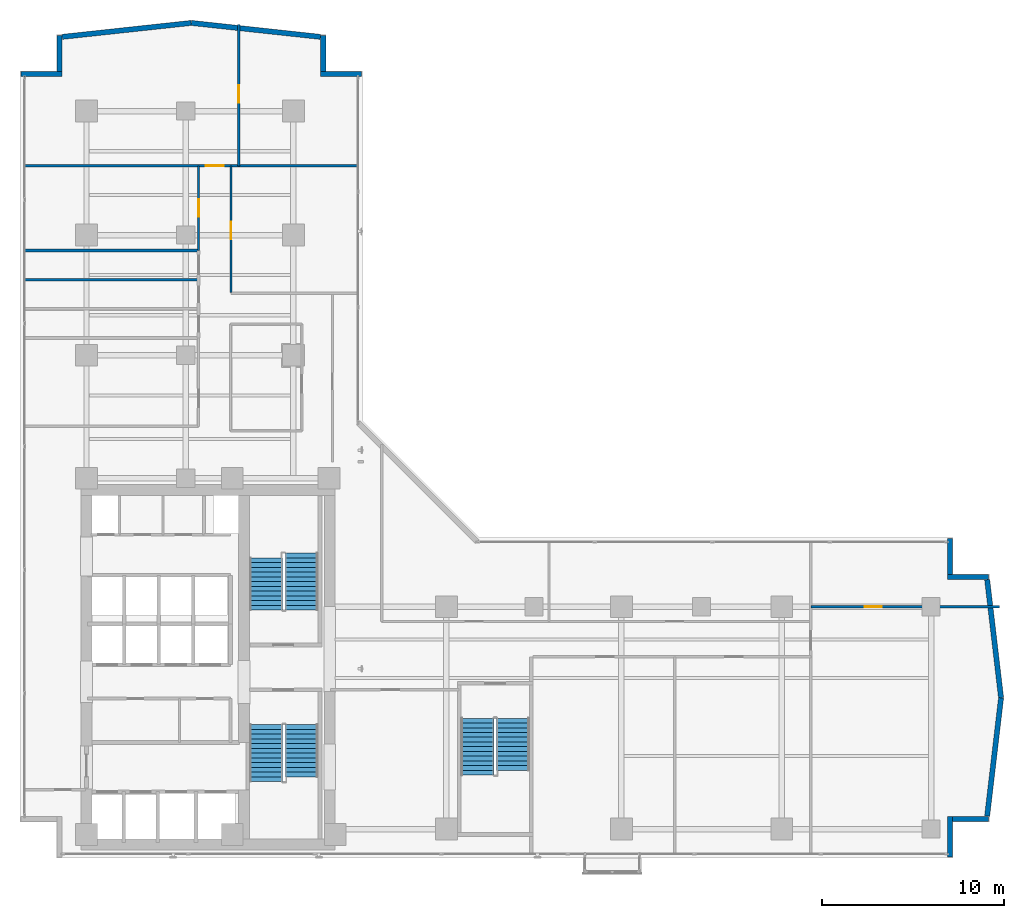
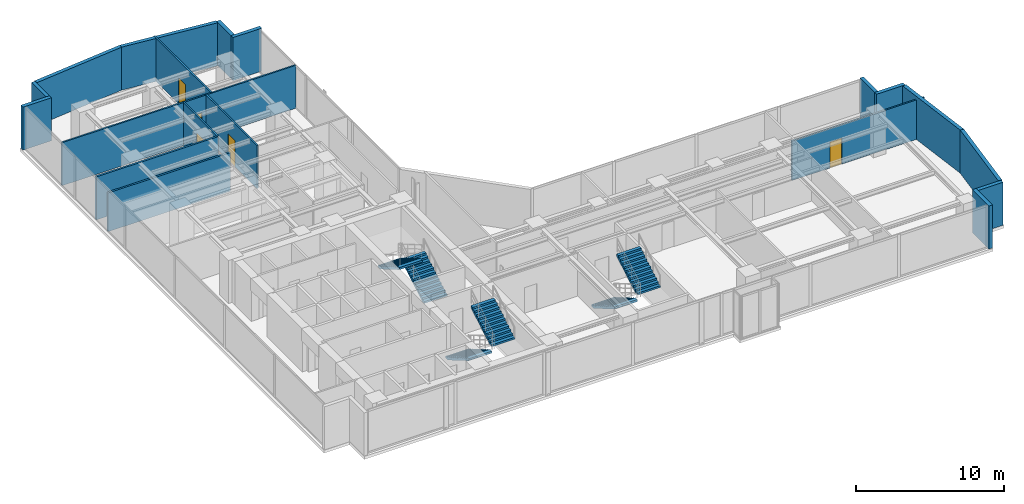
# One storey, part 22 of 27: 19 walls, 6 stair flights, 5 doors, 5 openings, 3 elements without a shape of their own.
"""IFC4 building model written with IfcOpenShell, lengths in metres."""

from ifc_helpers import new_model, si_unit, direction, frame, frame_2d, origin, place, context, subcontext, project, spatial, polyline, rectangle, outline, extrude, material, layer, layer_set, type_object, element, fill, aggregate, save


model = new_model("IFC4")

# Units and contexts
model_context = context("Model", 3, precision=1e-05, world=origin(), true_north=direction((0.0, 1.0)))
body_context = subcontext(model_context, "Body", "Model", "MODEL_VIEW")
ifc_project = project(units=[si_unit("LENGTHUNIT", "METRE"), si_unit("AREAUNIT", "SQUARE_METRE"), si_unit("VOLUMEUNIT", "CUBIC_METRE"), si_unit("PLANEANGLEUNIT", "RADIAN"), si_unit("MASSUNIT", "GRAM", prefix="KILO")], contexts=[model_context])

# Site, building, storey
site_placement = place(None, origin())
site = spatial("IfcSite", under=ifc_project, at=site_placement, CompositionType="ELEMENT")
building_placement = place(site_placement, origin())
building = spatial("IfcBuilding", under=site, at=building_placement, Name="Kolvaren Waterfront Exchange", CompositionType="ELEMENT")
storey_placement = place(building_placement, frame((0.0, 0.0, 191.800048828125)))
storey = spatial("IfcBuildingStorey", under=building, at=storey_placement, Name="L49", CompositionType="ELEMENT", Elevation=191.800048828125)

# Walls
ifc_material_1 = material(Name="Precast concrete C40/50", Category="concrete")
ifc_layer_1 = layer(ifc_material_1, 0.280029296875, Name="Precast concrete C40/50")
ifc_layer_set_1 = layer_set([ifc_layer_1], Name="Precast concrete C40/50")
wall_type_1 = type_object("IfcWallType", Name="ARC-EXT-TERR-280", PredefinedType="SOLIDWALL", material=ifc_layer_set_1)
wall_1_placement = place(storey_placement, frame((54.840087890625, 3.659912109375, 0.0), z_axis=(0.0, 0.0, 1.0), x_axis=(0.0, 1.0, 0.0)))
element("IfcWall", 1, at=wall_1_placement, inside=storey, type_object=wall_type_1, Name="L49 notched corner spandrel pier SE-A", PredefinedType="SOLIDWALL", context=body_context, shape_type="SweptSolid", body=[
    extrude(rectangle(XDim=2.239990234375, YDim=0.280029296875, at=frame_2d((1.1201171875, 0.0))), origin(), (0.0, 0.0, 1.0), 3.56005859375),
])
wall_2_placement = place(storey_placement, frame((54.97998046875, 5.760009765625, 0.0), z_axis=(0.0, 0.0, 1.0), x_axis=(1.0, 0.0, 0.0)))
element("IfcWall", 2, at=wall_2_placement, inside=storey, type_object=wall_type_1, Name="L49 notched corner spandrel pier SE-B", PredefinedType="SOLIDWALL", context=body_context, shape_type="SweptSolid", body=[
    extrude(rectangle(XDim=1.9599609375, YDim=0.280029296875, at=frame_2d((0.97998046875, 0.0))), origin(), (0.0, 0.0, 1.0), 3.56005859375),
])
wall_3_placement = place(storey_placement, frame((54.840087890625, 19.1650390625, 0.0), z_axis=(0.0, 0.0, 1.0), x_axis=(0.0, 1.0, 0.0)))
element("IfcWall", 3, at=wall_3_placement, inside=storey, type_object=wall_type_1, Name="L49 notched corner spandrel pier ENE-A", PredefinedType="SOLIDWALL", context=body_context, shape_type="SweptSolid", body=[
    extrude(rectangle(XDim=1.974853515625, YDim=0.280029296875, at=frame_2d((0.9873046875, 0.0))), origin(), (0.0, 0.0, 1.0), 3.56005859375),
])
for number, where, z_axis, x_axis, name in (
    (4, (54.699951171875, 19.0400390625, 0.0), (0.0, 0.0, 1.0), (1.0, 0.0, 0.0), "L49 notched corner spandrel pier ENE-B"),
    (5, (20.300048828125, 46.639892578125, 0.0), (0.0, 0.0, 1.0), (1.0, 0.0, 0.0), "L49 notched corner spandrel pier NNE-A"),
):
    element("IfcWall", number, at=place(storey_placement, frame(where, z_axis=z_axis, x_axis=x_axis)), inside=storey, type_object=wall_type_1, Name=name, PredefinedType="SOLIDWALL", context=body_context, shape_type="SweptSolid", body=[
        extrude(rectangle(XDim=2.239990234375, YDim=0.280029296875, at=frame_2d((1.1201171875, 0.0))), origin(), (0.0, 0.0, 1.0), 3.56005859375),
    ])
wall_4_placement = place(storey_placement, frame((20.43994140625, 46.780029296875, 0.0), z_axis=(0.0, 0.0, 1.0), x_axis=(0.0, 1.0, 0.0)))
element("IfcWall", 6, at=wall_4_placement, inside=storey, type_object=wall_type_1, Name="L49 notched corner spandrel pier NNE-B", PredefinedType="SOLIDWALL", context=body_context, shape_type="SweptSolid", body=[
    extrude(rectangle(XDim=1.9599609375, YDim=0.280029296875, at=frame_2d((0.97998046875, 0.0))), origin(), (0.0, 0.0, 1.0), 3.56005859375),
])
wall_5_placement = place(storey_placement, frame((3.860107421875, 46.639892578125, 0.0), z_axis=(0.0, 0.0, 1.0), x_axis=(1.0, 0.0, 0.0)))
element("IfcWall", 7, at=wall_5_placement, inside=storey, type_object=wall_type_1, Name="L49 notched corner spandrel pier NW-A", PredefinedType="SOLIDWALL", context=body_context, shape_type="SweptSolid", body=[
    extrude(rectangle(XDim=2.239990234375, YDim=0.280029296875, at=frame_2d((1.1201171875, 0.0))), origin(), (0.0, 0.0, 1.0), 3.56005859375),
])
wall_6_placement = place(storey_placement, frame((5.9599609375, 46.780029296875, 0.0), z_axis=(0.0, 0.0, 1.0), x_axis=(0.0, 1.0, 0.0)))
element("IfcWall", 8, at=wall_6_placement, inside=storey, type_object=wall_type_1, Name="L49 notched corner spandrel pier NW-B", PredefinedType="SOLIDWALL", context=body_context, shape_type="SweptSolid", body=[
    extrude(rectangle(XDim=1.9599609375, YDim=0.280029296875, at=frame_2d((0.97998046875, 0.0))), origin(), (0.0, 0.0, 1.0), 3.56005859375),
])
for number, where, z_axis, x_axis, name in (
    (9, (56.876220703125, 5.91650390625, 0.0), (0.0, 0.0, 1.0), (0.11685426921, 0.993149072278, 0.0), "L49 east prow faceted facade wall 1"),
    (10, (57.638916015625, 12.401123046875, 0.0), (0.0, 0.0, 1.0), (-0.11685426921, 0.993149072278, 0.0), "L49 east prow faceted facade wall 2"),
):
    element("IfcWall", number, at=place(storey_placement, frame(where, z_axis=z_axis, x_axis=x_axis)), inside=storey, type_object=wall_type_1, Name=name, PredefinedType="SOLIDWALL", context=body_context, shape_type="SweptSolid", body=[
        extrude(rectangle(XDim=6.52685546875, YDim=0.280029296875, at=frame_2d((3.263427734375, 0.0))), origin(), (0.0, 0.0, 1.0), 3.56005859375),
    ])
for number, where, z_axis, x_axis, name in (
    (11, (20.284423828125, 48.673095703125, 0.0), (0.0, 0.0, 1.0), (-0.994206651606, 0.107485505548, 0.0), "L49 north prow faceted facade wall 1"),
    (12, (13.197265625, 49.438720703125, 0.0), (0.0, 0.0, 1.0), (-0.994206651606, -0.107485505548, 0.0), "L49 north prow faceted facade wall 2"),
):
    element("IfcWall", number, at=place(storey_placement, frame(where, z_axis=z_axis, x_axis=x_axis)), inside=storey, type_object=wall_type_1, Name=name, PredefinedType="SOLIDWALL", context=body_context, shape_type="SweptSolid", body=[
        extrude(rectangle(XDim=7.123046875, YDim=0.280029296875, at=frame_2d((3.5615234375, 0.0))), origin(), (0.0, 0.0, 1.0), 3.56005859375),
    ])

# Wall, opening, door
ifc_material_2 = material(Name="Acoustic gypsum steel stud", Category="steel")
ifc_layer_2 = layer(ifc_material_2, 0.125, Name="Acoustic gypsum steel stud")
ifc_layer_set_2 = layer_set([ifc_layer_2], Name="Acoustic gypsum steel stud")
wall_type_2 = type_object("IfcWallType", Name="ARC-PART-125", PredefinedType="PARTITIONING", material=ifc_layer_set_2)
wall_7_placement = place(storey_placement, frame((47.199951171875, 17.39990234375, 0.0), z_axis=(0.0, 0.0, 1.0), x_axis=(1.0, 0.0, 0.0)))
wall_7 = element("IfcWall", 13, at=wall_7_placement, inside=storey, type_object=wall_type_2, Name="L49 interior wall PW-L49-ETIP-MID", PredefinedType="PARTITIONING", context=body_context, shape_type="SweptSolid", body=[
    extrude(rectangle(XDim=10.360107421875, YDim=0.125, at=frame_2d((5.18017578125, 0.0))), origin(), (0.0, 0.0, 1.0), 3.260009765625),
])
opening_1_placement = place(wall_7_placement, frame((2.949951171875, 0.0, 0.0)))
opening_1 = element("IfcOpeningElement", 14, at=opening_1_placement, cuts=wall_7, Name="Opening D02", PredefinedType="OPENING", context=body_context, shape_type="SweptSolid", body=[
    extrude(rectangle(XDim=0.949951171875, YDim=2.14990234375, at=frame_2d((0.47509765625, 1.074951171875))), frame((0.0, 0.072509765625, 0.0), z_axis=(0.0, -1.0, 0.0), x_axis=(1.0, 0.0, 0.0)), (0.0, 0.0, 1.0), 0.14501953125),
])
ifc_material_3 = material(Name="Oak veneer acoustic timber", Category="wood")
door_type_1 = type_object("IfcDoorType", Name="ARC-DR-950", OperationType="NOTDEFINED", PredefinedType="DOOR", material=ifc_material_3)
door_1_placement = place(opening_1_placement, origin())
door_1 = element("IfcDoor", 15, at=door_1_placement, inside=storey, type_object=door_type_1, Name="L49 door DR-L49-ETIP2-D (D02)", OperationType="SINGLE_SWING_RIGHT", OverallHeight=2.14990234375, OverallWidth=0.949951171875, PredefinedType="DOOR", context=body_context, shape_type="SweptSolid", body=[
    extrude(rectangle(XDim=0.949951171875, YDim=2.14990234375, at=frame_2d((0.47509765625, 1.074951171875))), frame((0.0, 0.02490234375, 0.0), z_axis=(0.0, -1.0, 0.0), x_axis=(1.0, 0.0, 0.0)), (0.0, 0.0, 1.0), 0.050048828125),
])
fill(opening_1, door_1)

wall_8_placement = place(storey_placement, frame((13.60009765625, 36.949951171875, 0.0), z_axis=(0.0, 0.0, 1.0), x_axis=(0.0, 1.0, 0.0)))
wall_8 = element("IfcWall", 16, at=wall_8_placement, inside=storey, type_object=wall_type_2, Name="L49 interior wall PW-L49-NW-CORR", PredefinedType="PARTITIONING", context=body_context, shape_type="SweptSolid", body=[
    extrude(rectangle(XDim=4.650146484375, YDim=0.125, at=frame_2d((2.3251953125, 0.0))), origin(), (0.0, 0.0, 1.0), 3.56005859375),
])
opening_2_placement = place(wall_8_placement, frame((1.85009765625, 0.0, 0.0)))
opening_2 = element("IfcOpeningElement", 17, at=opening_2_placement, cuts=wall_8, Name="Opening D02", PredefinedType="OPENING", context=body_context, shape_type="SweptSolid", body=[
    extrude(rectangle(XDim=0.949951171875, YDim=2.14990234375, at=frame_2d((0.47509765625, 1.074951171875))), frame((0.0, 0.072509765625, 0.0), z_axis=(0.0, -1.0, 0.0), x_axis=(1.0, 0.0, 0.0)), (0.0, 0.0, 1.0), 0.14501953125),
])
door_2_placement = place(opening_2_placement, origin())
door_2 = element("IfcDoor", 18, at=door_2_placement, inside=storey, type_object=door_type_1, Name="L49 door DR-L49-NW-D-1 (D02)", OperationType="SINGLE_SWING_LEFT", OverallHeight=2.14990234375, OverallWidth=0.949951171875, PredefinedType="DOOR", context=body_context, shape_type="SweptSolid", body=[
    extrude(rectangle(XDim=0.949951171875, YDim=2.14990234375, at=frame_2d((0.47509765625, 1.074951171875))), frame((0.0, 0.02490234375, 0.0), z_axis=(0.0, -1.0, 0.0), x_axis=(1.0, 0.0, 0.0)), (0.0, 0.0, 1.0), 0.050048828125),
])
fill(opening_2, door_2)

wall_9_placement = place(storey_placement, frame((4.0400390625, 41.60009765625, 0.0), z_axis=(0.0, 0.0, 1.0), x_axis=(1.0, 0.0, 0.0)))
wall_9 = element("IfcWall", 19, at=wall_9_placement, inside=storey, type_object=wall_type_2, Name="L49 interior wall PW-L49-NTIP-S", PredefinedType="PARTITIONING", context=body_context, shape_type="SweptSolid", body=[
    extrude(rectangle(XDim=18.320068359375, YDim=0.125, at=frame_2d((9.16015625, 0.0))), origin(), (0.0, 0.0, 1.0), 3.56005859375),
])
opening_3_placement = place(wall_9_placement, frame((9.949951171875, 0.0, 0.0)))
opening_3 = element("IfcOpeningElement", 20, at=opening_3_placement, cuts=wall_9, Name="Opening D03", PredefinedType="OPENING", context=body_context, shape_type="SweptSolid", body=[
    extrude(rectangle(XDim=1.0, YDim=2.199951171875, at=frame_2d((0.5, 1.10009765625))), frame((0.0, 0.072509765625, 0.0), z_axis=(0.0, -1.0, 0.0), x_axis=(1.0, 0.0, 0.0)), (0.0, 0.0, 1.0), 0.14501953125),
])
ifc_material_4 = material(Name="Oak veneer accessible timber", Category="wood")
door_type_2 = type_object("IfcDoorType", Name="ARC-DR-1000", OperationType="NOTDEFINED", PredefinedType="DOOR", material=ifc_material_4)
door_3_placement = place(opening_3_placement, origin())
door_3 = element("IfcDoor", 21, at=door_3_placement, inside=storey, type_object=door_type_2, Name="L49 door DR-L49-NTIPW-D (D03)", OperationType="SINGLE_SWING_RIGHT", OverallHeight=2.199951171875, OverallWidth=1.0, PredefinedType="DOOR", context=body_context, shape_type="SweptSolid", body=[
    extrude(rectangle(XDim=1.0, YDim=2.199951171875, at=frame_2d((0.5, 1.10009765625))), frame((0.0, 0.02490234375, 0.0), z_axis=(0.0, -1.0, 0.0), x_axis=(1.0, 0.0, 0.0)), (0.0, 0.0, 1.0), 0.050048828125),
])
fill(opening_3, door_3)

wall_10_placement = place(storey_placement, frame((15.800048828125, 41.60009765625, 0.0), z_axis=(0.0, 0.0, 1.0), x_axis=(0.0, 1.0, 0.0)))
wall_10 = element("IfcWall", 22, at=wall_10_placement, inside=storey, type_object=wall_type_2, Name="L49 interior wall PW-L49-NTIP-DIV", PredefinedType="PARTITIONING", context=body_context, shape_type="SweptSolid", body=[
    extrude(rectangle(XDim=7.760009765625, YDim=0.125, at=frame_2d((3.8798828125, 0.0))), origin(), (0.0, 0.0, 1.0), 3.56005859375),
])
opening_4_placement = place(wall_10_placement, frame((3.470458984375, 0.0, 0.0)))
opening_4 = element("IfcOpeningElement", 23, at=opening_4_placement, cuts=wall_10, Name="Opening D02", PredefinedType="OPENING", context=body_context, shape_type="SweptSolid", body=[
    extrude(rectangle(XDim=0.949951171875, YDim=2.14990234375, at=frame_2d((0.47509765625, 1.074951171875))), frame((0.0, 0.072509765625, 0.0), z_axis=(0.0, -1.0, 0.0), x_axis=(1.0, 0.0, 0.0)), (0.0, 0.0, 1.0), 0.14501953125),
])
door_4_placement = place(opening_4_placement, origin())
door_4 = element("IfcDoor", 24, at=door_4_placement, inside=storey, type_object=door_type_1, Name="L49 door DR-L49-NTIPE-D (D02)", OperationType="SINGLE_SWING_LEFT", OverallHeight=2.14990234375, OverallWidth=0.949951171875, PredefinedType="DOOR", context=body_context, shape_type="SweptSolid", body=[
    extrude(rectangle(XDim=0.949951171875, YDim=2.14990234375, at=frame_2d((0.47509765625, 1.074951171875))), frame((0.0, 0.02490234375, 0.0), z_axis=(0.0, -1.0, 0.0), x_axis=(1.0, 0.0, 0.0)), (0.0, 0.0, 1.0), 0.050048828125),
])
fill(opening_4, door_4)

wall_11_placement = place(storey_placement, frame((15.3798828125, 34.64990234375, 0.0), z_axis=(0.0, 0.0, 1.0), x_axis=(0.0, 1.0, 0.0)))
wall_11 = element("IfcWall", 25, at=wall_11_placement, inside=storey, type_object=wall_type_2, Name="L49 interior wall PW-L49-NE-CORR", PredefinedType="PARTITIONING", context=body_context, shape_type="SweptSolid", body=[
    extrude(rectangle(XDim=6.9501953125, YDim=0.125, at=frame_2d((3.47509765625, 0.0))), origin(), (0.0, 0.0, 1.0), 3.56005859375),
])
opening_5_placement = place(wall_11_placement, frame((2.9296875, 0.0, 0.0)))
opening_5 = element("IfcOpeningElement", 26, at=opening_5_placement, cuts=wall_11, Name="Opening D02", PredefinedType="OPENING", context=body_context, shape_type="SweptSolid", body=[
    extrude(rectangle(XDim=0.949951171875, YDim=2.14990234375, at=frame_2d((0.47509765625, 1.074951171875))), frame((0.0, 0.072509765625, 0.0), z_axis=(0.0, -1.0, 0.0), x_axis=(1.0, 0.0, 0.0)), (0.0, 0.0, 1.0), 0.14501953125),
])
door_5_placement = place(opening_5_placement, origin())
door_5 = element("IfcDoor", 27, at=door_5_placement, inside=storey, type_object=door_type_1, Name="L49 door DR-L49-NE-D-1 (D02)", OperationType="SINGLE_SWING_RIGHT", OverallHeight=2.14990234375, OverallWidth=0.949951171875, PredefinedType="DOOR", context=body_context, shape_type="SweptSolid", body=[
    extrude(rectangle(XDim=0.949951171875, YDim=2.14990234375, at=frame_2d((0.47509765625, 1.074951171875))), frame((0.0, 0.02490234375, 0.0), z_axis=(0.0, -1.0, 0.0), x_axis=(1.0, 0.0, 0.0)), (0.0, 0.0, 1.0), 0.050048828125),
])
fill(opening_5, door_5)

# Walls
ifc_material_5 = material(Name="Moisture-resistant gypsum stud")
ifc_layer_3 = layer(ifc_material_5, 0.14990234375, Name="Moisture-resistant gypsum stud")
ifc_layer_set_3 = layer_set([ifc_layer_3], Name="Moisture-resistant gypsum stud")
wall_type_3 = type_object("IfcWallType", Name="ARC-PLUMB-150", PredefinedType="PLUMBINGWALL", material=ifc_layer_set_3)
wall_12_placement = place(storey_placement, frame((4.0400390625, 35.35009765625, 0.0), z_axis=(0.0, 0.0, 1.0), x_axis=(1.0, 0.0, 0.0)))
element("IfcWall", 28, at=wall_12_placement, inside=storey, type_object=wall_type_3, Name="L49 interior wall PW-L49-WC-2", PredefinedType="PLUMBINGWALL", context=body_context, shape_type="SweptSolid", body=[
    extrude(rectangle(XDim=9.56005859375, YDim=0.14990234375, at=frame_2d((4.780029296875, 0.0))), origin(), (0.0, 0.0, 1.0), 3.199951171875),
])
wall_13_placement = place(storey_placement, frame((4.0400390625, 36.949951171875, 0.0), z_axis=(0.0, 0.0, 1.0), x_axis=(1.0, 0.0, 0.0)))
element("IfcWall", 29, at=wall_13_placement, inside=storey, type_object=wall_type_3, Name="L49 interior wall PW-L49-WC-3", PredefinedType="PLUMBINGWALL", context=body_context, shape_type="SweptSolid", body=[
    extrude(rectangle(XDim=9.56005859375, YDim=0.14990234375, at=frame_2d((4.780029296875, 0.0))), origin(), (0.0, 0.0, 1.0), 3.56005859375),
])

# Stair, stair flights
ifc_material_6 = material(Name="Concrete C40/50", Category="concrete")
stair_type = type_object("IfcStairType", Name="ARC-STAIR-3800", PredefinedType="HALF_TURN_STAIR", material=ifc_material_6)
stair_1_placement = place(storey_placement, origin())
stair_1 = element("IfcStair", 30, at=stair_1_placement, inside=storey, type_object=stair_type, Name="L49 Smoke-proof exit stair ST1", PredefinedType="HALF_TURN_STAIR")
stair_flight_type = type_object("IfcStairFlightType", Name="ARC-FLIGHT-3800", PredefinedType="STRAIGHT", material=ifc_material_6)
stair_flight_1_placement = place(storey_placement, frame((17.300048828125, 10.929931640625, 0.0), z_axis=(0.0, 0.0, 1.0), x_axis=(0.0, -1.0, 0.0)))
stair_flight_1 = element("IfcStairFlight", 31, at=stair_flight_1_placement, type_object=stair_flight_type, Name="ST1 flight 1", NumberOfRisers=13, NumberOfTreads=12, PredefinedType="STRAIGHT", RiserHeight=0.152, TreadLength=0.26, context=body_context, shape_type="SweptSolid", body=[
    extrude(outline(polyline([(0.0, 0.0), (0.0, 0.152099609375), (0.260009765625, 0.152099609375), (0.260009765625, 0.303955078125), (0.52001953125, 0.303955078125), (0.52001953125, 0.4560546875), (0.780029296875, 0.4560546875), (0.780029296875, 0.60791015625), (1.0400390625, 0.60791015625), (1.0400390625, 0.760009765625), (1.300048828125, 0.760009765625), (1.300048828125, 0.912109375), (1.56005859375, 0.912109375), (1.56005859375, 1.06396484375), (1.820068359375, 1.06396484375), (1.820068359375, 1.216064453125), (2.080078125, 1.216064453125), (2.080078125, 1.367919921875), (2.340087890625, 1.367919921875), (2.340087890625, 1.52001953125), (2.60009765625, 1.52001953125), (2.60009765625, 1.672119140625), (2.860107421875, 1.672119140625), (2.860107421875, 1.823974609375), (3.1201171875, 1.823974609375), (3.1201171875, 1.97607421875), (3.1201171875, 1.650390625), (0.297119140625, 0.0), (0.0, 0.0)])), frame((0.0, 0.89990234375, 0.0), z_axis=(0.0, -1.0, 0.0), x_axis=(1.0, 0.0, 0.0)), (0.0, 0.0, 1.0), 1.800048828125),
])
stair_flight_2_placement = place(storey_placement, frame((19.260009765625, 8.070068359375, 1.975830078125), z_axis=(0.0, 0.0, 1.0), x_axis=(0.0, 1.0, 0.0)))
stair_flight_2 = element("IfcStairFlight", 32, at=stair_flight_2_placement, type_object=stair_flight_type, Name="ST1 flight 2", NumberOfRisers=12, NumberOfTreads=11, PredefinedType="STRAIGHT", RiserHeight=0.152, TreadLength=0.26, context=body_context, shape_type="SweptSolid", body=[
    extrude(outline(polyline([(0.0, 0.0), (0.0, 0.152099609375), (0.260009765625, 0.152099609375), (0.260009765625, 0.303955078125), (0.52001953125, 0.303955078125), (0.52001953125, 0.4560546875), (0.780029296875, 0.4560546875), (0.780029296875, 0.60791015625), (1.0400390625, 0.60791015625), (1.0400390625, 0.760009765625), (1.300048828125, 0.760009765625), (1.300048828125, 0.912109375), (1.56005859375, 0.912109375), (1.56005859375, 1.06396484375), (1.820068359375, 1.06396484375), (1.820068359375, 1.216064453125), (2.080078125, 1.216064453125), (2.080078125, 1.367919921875), (2.340087890625, 1.367919921875), (2.340087890625, 1.52001953125), (2.60009765625, 1.52001953125), (2.60009765625, 1.672119140625), (2.860107421875, 1.672119140625), (2.860107421875, 1.823974609375), (2.860107421875, 1.498291015625), (0.297119140625, 0.0), (0.0, 0.0)])), frame((0.0, 0.89990234375, 0.0), z_axis=(0.0, -1.0, 0.0), x_axis=(1.0, 0.0, 0.0)), (0.0, 0.0, 1.0), 1.800048828125),
])
aggregate(stair_1, [stair_flight_1, stair_flight_2])

stair_2_placement = place(storey_placement, origin())
stair_2 = element("IfcStair", 33, at=stair_2_placement, inside=storey, type_object=stair_type, Name="L49 Smoke-proof exit stair ST2", PredefinedType="HALF_TURN_STAIR")
stair_flight_3_placement = place(storey_placement, frame((19.260009765625, 17.219970703125, 0.0), z_axis=(0.0, 0.0, 1.0), x_axis=(0.0, 1.0, 0.0)))
stair_flight_3 = element("IfcStairFlight", 34, at=stair_flight_3_placement, type_object=stair_flight_type, Name="ST2 flight 1", NumberOfRisers=13, NumberOfTreads=12, PredefinedType="STRAIGHT", RiserHeight=0.152, TreadLength=0.26, context=body_context, shape_type="SweptSolid", body=[
    extrude(outline(polyline([(0.0, 0.0), (0.0, 0.152099609375), (0.260009765625, 0.152099609375), (0.260009765625, 0.303955078125), (0.52001953125, 0.303955078125), (0.52001953125, 0.4560546875), (0.780029296875, 0.4560546875), (0.780029296875, 0.60791015625), (1.0400390625, 0.60791015625), (1.0400390625, 0.760009765625), (1.300048828125, 0.760009765625), (1.300048828125, 0.912109375), (1.56005859375, 0.912109375), (1.56005859375, 1.06396484375), (1.820068359375, 1.06396484375), (1.820068359375, 1.216064453125), (2.080078125, 1.216064453125), (2.080078125, 1.367919921875), (2.340087890625, 1.367919921875), (2.340087890625, 1.52001953125), (2.60009765625, 1.52001953125), (2.60009765625, 1.672119140625), (2.860107421875, 1.672119140625), (2.860107421875, 1.823974609375), (3.1201171875, 1.823974609375), (3.1201171875, 1.97607421875), (3.1201171875, 1.650390625), (0.297119140625, 0.0), (0.0, 0.0)])), frame((0.0, 0.89990234375, 0.0), z_axis=(0.0, -1.0, 0.0), x_axis=(1.0, 0.0, 0.0)), (0.0, 0.0, 1.0), 1.800048828125),
])
stair_flight_4_placement = place(storey_placement, frame((17.300048828125, 20.080078125, 1.975830078125), z_axis=(0.0, 0.0, 1.0), x_axis=(0.0, -1.0, 0.0)))
stair_flight_4 = element("IfcStairFlight", 35, at=stair_flight_4_placement, type_object=stair_flight_type, Name="ST2 flight 2", NumberOfRisers=12, NumberOfTreads=11, PredefinedType="STRAIGHT", RiserHeight=0.152, TreadLength=0.26, context=body_context, shape_type="SweptSolid", body=[
    extrude(outline(polyline([(0.0, 0.0), (0.0, 0.152099609375), (0.260009765625, 0.152099609375), (0.260009765625, 0.303955078125), (0.52001953125, 0.303955078125), (0.52001953125, 0.4560546875), (0.780029296875, 0.4560546875), (0.780029296875, 0.60791015625), (1.0400390625, 0.60791015625), (1.0400390625, 0.760009765625), (1.300048828125, 0.760009765625), (1.300048828125, 0.912109375), (1.56005859375, 0.912109375), (1.56005859375, 1.06396484375), (1.820068359375, 1.06396484375), (1.820068359375, 1.216064453125), (2.080078125, 1.216064453125), (2.080078125, 1.367919921875), (2.340087890625, 1.367919921875), (2.340087890625, 1.52001953125), (2.60009765625, 1.52001953125), (2.60009765625, 1.672119140625), (2.860107421875, 1.672119140625), (2.860107421875, 1.823974609375), (2.860107421875, 1.498291015625), (0.297119140625, 0.0), (0.0, 0.0)])), frame((0.0, 0.89990234375, 0.0), z_axis=(0.0, -1.0, 0.0), x_axis=(1.0, 0.0, 0.0)), (0.0, 0.0, 1.0), 1.800048828125),
])
aggregate(stair_2, [stair_flight_3, stair_flight_4])

stair_3_placement = place(storey_placement, origin())
stair_3 = element("IfcStair", 36, at=stair_3_placement, inside=storey, type_object=stair_type, Name="L49 Exit stair ST3", PredefinedType="HALF_TURN_STAIR")
stair_flight_5_placement = place(storey_placement, frame((28.89990234375, 11.280029296875, 0.0), z_axis=(0.0, 0.0, 1.0), x_axis=(0.0, -1.0, 0.0)))
stair_flight_5 = element("IfcStairFlight", 37, at=stair_flight_5_placement, type_object=stair_flight_type, Name="ST3 flight 1", NumberOfRisers=13, NumberOfTreads=12, PredefinedType="STRAIGHT", RiserHeight=0.152, TreadLength=0.26, context=body_context, shape_type="SweptSolid", body=[
    extrude(outline(polyline([(0.0, 0.0), (0.0, 0.152099609375), (0.260009765625, 0.152099609375), (0.260009765625, 0.303955078125), (0.52001953125, 0.303955078125), (0.52001953125, 0.4560546875), (0.780029296875, 0.4560546875), (0.780029296875, 0.60791015625), (1.0400390625, 0.60791015625), (1.0400390625, 0.760009765625), (1.300048828125, 0.760009765625), (1.300048828125, 0.912109375), (1.56005859375, 0.912109375), (1.56005859375, 1.06396484375), (1.820068359375, 1.06396484375), (1.820068359375, 1.216064453125), (2.080078125, 1.216064453125), (2.080078125, 1.367919921875), (2.340087890625, 1.367919921875), (2.340087890625, 1.52001953125), (2.60009765625, 1.52001953125), (2.60009765625, 1.672119140625), (2.860107421875, 1.672119140625), (2.860107421875, 1.823974609375), (3.1201171875, 1.823974609375), (3.1201171875, 1.97607421875), (3.1201171875, 1.650390625), (0.297119140625, 0.0), (0.0, 0.0)])), frame((0.0, 0.89990234375, 0.0), z_axis=(0.0, -1.0, 0.0), x_axis=(1.0, 0.0, 0.0)), (0.0, 0.0, 1.0), 1.800048828125),
])
stair_flight_6_placement = place(storey_placement, frame((30.860107421875, 8.419921875, 1.975830078125), z_axis=(0.0, 0.0, 1.0), x_axis=(0.0, 1.0, 0.0)))
stair_flight_6 = element("IfcStairFlight", 38, at=stair_flight_6_placement, type_object=stair_flight_type, Name="ST3 flight 2", NumberOfRisers=12, NumberOfTreads=11, PredefinedType="STRAIGHT", RiserHeight=0.152, TreadLength=0.26, context=body_context, shape_type="SweptSolid", body=[
    extrude(outline(polyline([(0.0, 0.0), (0.0, 0.152099609375), (0.260009765625, 0.152099609375), (0.260009765625, 0.303955078125), (0.52001953125, 0.303955078125), (0.52001953125, 0.4560546875), (0.780029296875, 0.4560546875), (0.780029296875, 0.60791015625), (1.0400390625, 0.60791015625), (1.0400390625, 0.760009765625), (1.300048828125, 0.760009765625), (1.300048828125, 0.912109375), (1.56005859375, 0.912109375), (1.56005859375, 1.06396484375), (1.820068359375, 1.06396484375), (1.820068359375, 1.216064453125), (2.080078125, 1.216064453125), (2.080078125, 1.367919921875), (2.340087890625, 1.367919921875), (2.340087890625, 1.52001953125), (2.60009765625, 1.52001953125), (2.60009765625, 1.672119140625), (2.860107421875, 1.672119140625), (2.860107421875, 1.823974609375), (2.860107421875, 1.498291015625), (0.297119140625, 0.0), (0.0, 0.0)])), frame((0.0, 0.89990234375, 0.0), z_axis=(0.0, -1.0, 0.0), x_axis=(1.0, 0.0, 0.0)), (0.0, 0.0, 1.0), 1.800048828125),
])
aggregate(stair_3, [stair_flight_5, stair_flight_6])

save(model, "model.ifc")
